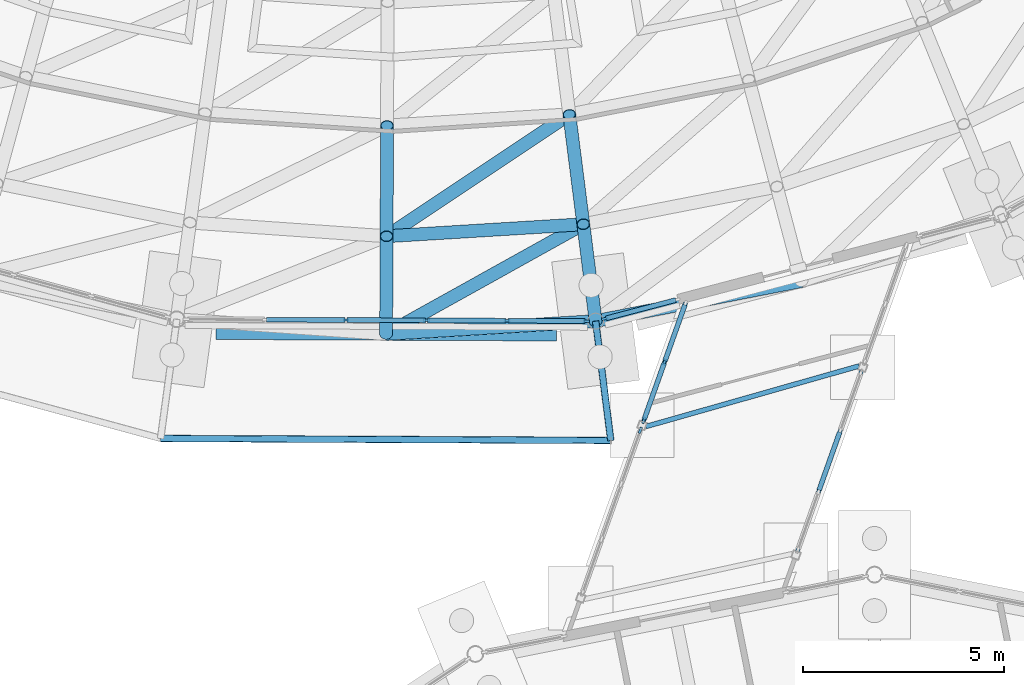
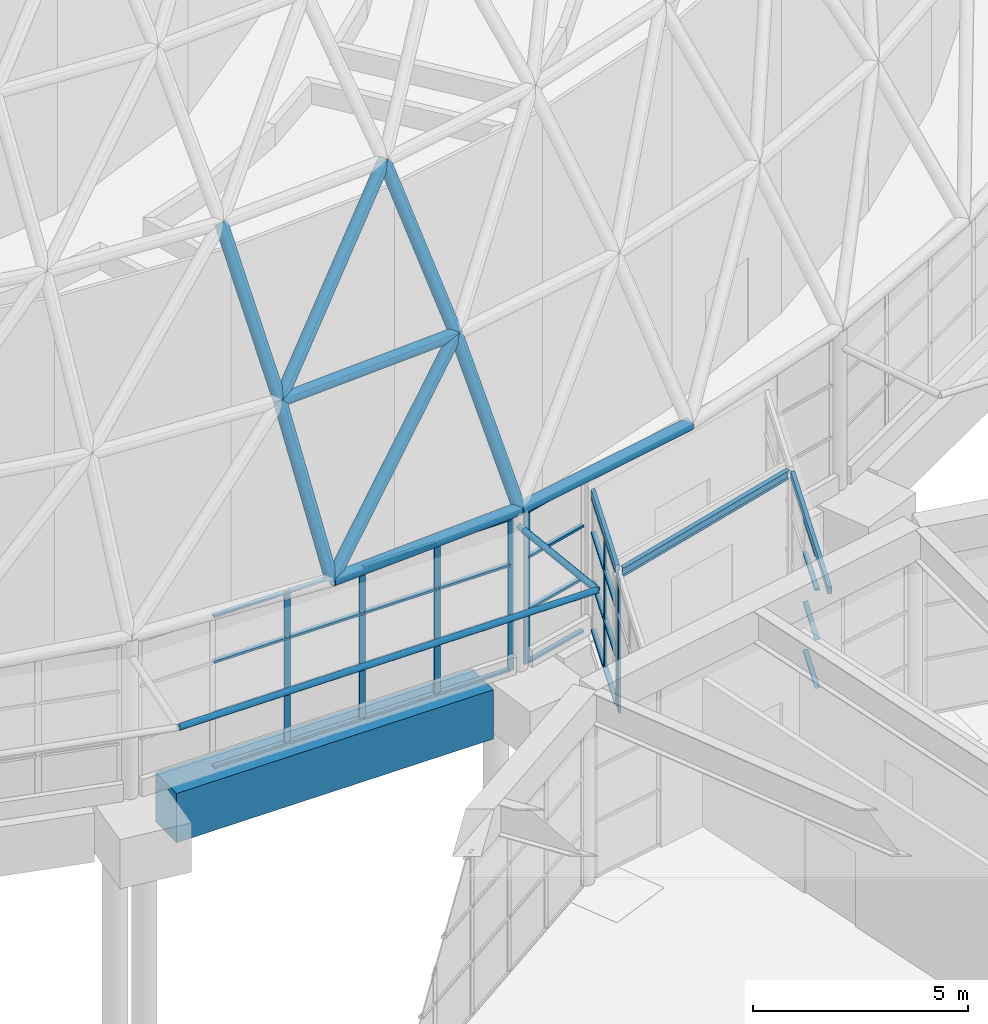
# One storey, part 96 of 226: 51 members, 4 beams, 5 elements without a shape of their own.
"""IFC4 building model written with IfcOpenShell, lengths in metres."""

from ifc_helpers import new_model, si_unit, direction, frame, origin, origin_2d, place, context, subcontext, project, spatial, rectangle, hollow_rectangle, hollow_circle, i_section, extrude, material, material_profile, profile_set, type_object, element, aggregate, save


model = new_model("IFC4")

# Units and contexts
model_context = context("Model", 3, precision=1e-05, world=origin(), true_north=direction((0.0, 1.0)))
body_context = subcontext(model_context, "Body", "Model", "MODEL_VIEW")
ifc_project = project(units=[si_unit("LENGTHUNIT", "METRE"), si_unit("AREAUNIT", "SQUARE_METRE"), si_unit("VOLUMEUNIT", "CUBIC_METRE"), si_unit("PLANEANGLEUNIT", "RADIAN"), si_unit("MASSUNIT", "GRAM", prefix="KILO")], contexts=[model_context])

# Site, building, storey
site_placement = place(None, origin())
site = spatial("IfcSite", under=ifc_project, at=site_placement, CompositionType="ELEMENT")
building_placement = place(site_placement, origin())
building = spatial("IfcBuilding", under=site, at=building_placement, Name="Ceibo Conservatory and Research Tower", CompositionType="ELEMENT")
storey_placement = place(building_placement, origin())
storey = spatial("IfcBuildingStorey", under=building, at=storey_placement, Name="L00", CompositionType="ELEMENT", Elevation=0.0)

# Members
ifc_material_1 = material(Name="Steel ASTM A500 Gr C", Category="steel")
ifc_material_profile_1 = material_profile(ifc_material_1, hollow_circle(Radius=0.084228515625, WallThickness=0.007080078125, at=origin_2d()), Name="CHS 168.3x7.11")
ifc_profile_set_1 = profile_set([ifc_material_profile_1], Name="Steel ASTM A500 Gr C")
member_type_1 = type_object("IfcMemberType", Name="CHS 168.3x7.11", PredefinedType="NOTDEFINED", material=ifc_profile_set_1)
member_1_placement = place(storey_placement, frame((161.0478515625, 68.31982421875, 4.0), z_axis=(0.126087484547, -0.990977715429, -0.045443522799), x_axis=(0.992002543853, 0.126217879041, 0.0)))
element("IfcMember", 1, at=member_1_placement, inside=storey, type_object=member_type_1, Name="Brim brace bracket A-BK19", PredefinedType="BRACE", context=body_context, shape_type="SweptSolid", body=[
    extrude(hollow_circle(Radius=0.084228515625, WallThickness=0.007080078125, at=origin_2d()), origin(), (0.0, 0.0, 1.0), 3.003173828125),
])
member_2_placement = place(storey_placement, frame((150.201416015625, 65.392822265625, 3.863525390625), z_axis=(0.999990444449, -0.004371614236, 0.0), x_axis=(0.004371614236, 0.999990444449, 0.0)))
element("IfcMember", 2, at=member_2_placement, inside=storey, type_object=member_type_1, Name="Brim tip ring A-TR21", PredefinedType="CHORD", context=body_context, shape_type="SweptSolid", body=[
    extrude(hollow_circle(Radius=0.084228515625, WallThickness=0.007080078125, at=origin_2d()), origin(), (0.0, 0.0, 1.0), 11.22509765625),
])
ifc_material_profile_2 = material_profile(ifc_material_1, hollow_circle(Radius=0.161865234375, WallThickness=0.01025390625, at=origin_2d()), Name="CHS 323.9x10.31")
ifc_profile_set_2 = profile_set([ifc_material_profile_2], Name="Steel ASTM A500 Gr C")
member_type_2 = type_object("IfcMemberType", Name="CHS 323.9x10.31", PredefinedType="NOTDEFINED", material=ifc_profile_set_2)
member_3_placement = place(storey_placement, frame((155.8359375, 70.43505859375, 8.115966796875), z_axis=(0.998134248027, 0.061057537745, 0.0), x_axis=(-0.061057537745, 0.998134248027, 0.0)))
element("IfcMember", 3, at=member_3_placement, inside=storey, type_object=member_type_2, Name="Gridshell member A-C02-36", PredefinedType="CHORD", context=body_context, shape_type="SweptSolid", body=[
    extrude(hollow_circle(Radius=0.161865234375, WallThickness=0.01025390625, at=origin_2d()), origin(), (0.0, 0.0, 1.0), 4.914306640625),
])
ifc_material_profile_3 = material_profile(ifc_material_1, hollow_circle(Radius=0.161865234375, WallThickness=0.01416015625, at=origin_2d()), Name="CHS 323.9x14.27")
ifc_profile_set_3 = profile_set([ifc_material_profile_3], Name="Steel ASTM A500 Gr C")
member_type_3 = type_object("IfcMemberType", Name="CHS 323.9x14.27", PredefinedType="NOTDEFINED", material=ifc_profile_set_3)
member_4_placement = place(storey_placement, frame((155.824951171875, 68.0, 4.5), z_axis=(0.002520115107, 0.558569512856, 0.829453885594), x_axis=(-0.999989822299, 0.00451168458, 0.0)))
element("IfcMember", 4, at=member_4_placement, inside=storey, type_object=member_type_3, Name="Gridshell member A-M36-01", PredefinedType="RAFTER", context=body_context, shape_type="SweptSolid", body=[
    extrude(hollow_circle(Radius=0.161865234375, WallThickness=0.01416015625, at=origin_2d()), origin(), (0.0, 0.0, 1.0), 4.359375),
])
member_5_placement = place(storey_placement, frame((161.048095703125, 68.320068359375, 4.5), z_axis=(-0.070456573675, 0.554019417167, 0.829516941737), x_axis=(-0.992010238608, -0.126157387805, 0.0)))
element("IfcMember", 5, at=member_5_placement, inside=storey, type_object=member_type_3, Name="Gridshell member A-M37-01", PredefinedType="RAFTER", context=body_context, shape_type="SweptSolid", body=[
    extrude(hollow_circle(Radius=0.161865234375, WallThickness=0.01416015625, at=origin_2d()), origin(), (0.0, 0.0, 1.0), 4.359130859375),
])
for number, where, z_axis, x_axis, name in (
    (6, (155.8359375, 70.43505859375, 8.115966796875), (0.002744819017, 0.633268958808, 0.773926929225), (-0.999990606771, 0.004334324611, 0.0), "Gridshell member A-M36-02"),
    (7, (160.740966796875, 70.735107421875, 8.115966796875), (-0.080049089505, 0.628180888534, 0.773938572854), (-0.991978360609, -0.126407800723, 0.0), "Gridshell member A-M37-02"),
):
    element("IfcMember", number, at=place(storey_placement, frame(where, z_axis=z_axis, x_axis=x_axis)), inside=storey, type_object=member_type_3, Name=name, PredefinedType="RAFTER", context=body_context, shape_type="SweptSolid", body=[
        extrude(hollow_circle(Radius=0.161865234375, WallThickness=0.01416015625, at=origin_2d()), origin(), (0.0, 0.0, 1.0), 4.3583984375),
    ])
ifc_material_2 = material(Name="Steel S355J2H", Category="steel")
ifc_material_profile_4 = material_profile(ifc_material_2, hollow_circle(Radius=0.161865234375, WallThickness=0.025390625, at=origin_2d()), Name="CHS 323.9x25.40")
ifc_profile_set_4 = profile_set([ifc_material_profile_4], Name="Steel S355J2H")
member_type_4 = type_object("IfcMemberType", Name="CHS 323.9x25.40", PredefinedType="NOTDEFINED", material=ifc_profile_set_4)
member_6_placement = place(storey_placement, frame((155.824951171875, 68.0, 4.5), z_axis=(0.998127721756, 0.06116413215, 0.0), x_axis=(-0.06116413215, 0.998127721756, 0.0)))
element("IfcMember", 8, at=member_6_placement, inside=storey, type_object=member_type_4, Name="Gridshell member A-C01-36", PredefinedType="CHORD", context=body_context, shape_type="SweptSolid", body=[
    extrude(hollow_circle(Radius=0.161865234375, WallThickness=0.025390625, at=origin_2d()), origin(), (0.0, 0.0, 1.0), 5.23291015625),
])
member_7_placement = place(storey_placement, frame((161.048095703125, 68.320068359375, 4.5), z_axis=(0.981637482692, 0.190756002721, 0.0), x_axis=(-0.190756002721, 0.981637482692, 0.0)))
element("IfcMember", 9, at=member_7_placement, inside=storey, type_object=member_type_4, Name="Gridshell member A-C01-37", PredefinedType="CHORD", context=body_context, shape_type="SweptSolid", body=[
    extrude(hollow_circle(Radius=0.161865234375, WallThickness=0.025390625, at=origin_2d()), origin(), (0.0, 0.0, 1.0), 5.232177734375),
])
ifc_material_profile_5 = material_profile(ifc_material_1, hollow_circle(Radius=0.161865234375, WallThickness=0.00830078125, at=origin_2d()), Name="CHS 323.9x8.38")
ifc_profile_set_5 = profile_set([ifc_material_profile_5], Name="Steel ASTM A500 Gr C")
member_type_5 = type_object("IfcMemberType", Name="CHS 323.9x8.38", PredefinedType="NOTDEFINED", material=ifc_profile_set_5)
member_8_placement = place(storey_placement, frame((155.824951171875, 68.0, 4.5), z_axis=(0.73510035822, 0.408985365174, 0.540701798053), x_axis=(-0.486184490439, 0.87385619026, 0.0)))
element("IfcMember", 10, at=member_8_placement, inside=storey, type_object=member_type_5, Name="Gridshell diagonal member A-D01-36", PredefinedType="BRACE", context=body_context, shape_type="SweptSolid", body=[
    extrude(hollow_circle(Radius=0.161865234375, WallThickness=0.00830078125, at=origin_2d()), origin(), (0.0, 0.0, 1.0), 6.6875),
])
member_9_placement = place(storey_placement, frame((155.8359375, 70.43505859375, 8.115966796875), z_axis=(0.70840986214, 0.472336508124, 0.524455613295), x_axis=(-0.554751637586, 0.8320159978, 0.0)))
element("IfcMember", 11, at=member_9_placement, inside=storey, type_object=member_type_5, Name="Gridshell diagonal member A-D02-36", PredefinedType="BRACE", context=body_context, shape_type="SweptSolid", body=[
    extrude(hollow_circle(Radius=0.161865234375, WallThickness=0.00830078125, at=origin_2d()), origin(), (0.0, 0.0, 1.0), 6.431640625),
])

# Curtain wall, members
ifc_material_3 = material(Name="Aluminium and glass", Category="aluminium")
curtain_wall_type_1 = type_object("IfcCurtainWallType", Name="Drum curtain wall", PredefinedType="NOTDEFINED", material=ifc_material_3)
curtain_wall_1_placement = place(storey_placement, origin())
curtain_wall_1 = element("IfcCurtainWall", 12, at=curtain_wall_1_placement, inside=storey, type_object=curtain_wall_type_1, Name="Drum curtain wall A-CW18", PredefinedType="NOTDEFINED")
ifc_material_4 = material(Name="Aluminium", Category="aluminium")
ifc_material_profile_6 = material_profile(ifc_material_4, rectangle(XDim=0.06005859375, YDim=0.159912109375, at=origin_2d()), Name="AL 60x160")
ifc_profile_set_6 = profile_set([ifc_material_profile_6], Name="Aluminium")
member_type_6 = type_object("IfcMemberType", Name="Drum mullion 60x160", PredefinedType="MULLION", material=ifc_profile_set_6)
member_10_placement = place(storey_placement, frame((154.823486328125, 68.346923828125, 0.0), z_axis=(0.0, 0.0, 1.0), x_axis=(0.004363300488, 0.999990480759, 0.0)))
member_10 = element("IfcMember", 13, at=member_10_placement, type_object=member_type_6, Name="A-CW18 mullion 3", PredefinedType="MULLION", context=body_context, shape_type="SweptSolid", body=[
    extrude(rectangle(XDim=0.06005859375, YDim=0.159912109375, at=origin_2d()), origin(), (0.0, 0.0, 1.0), 4.338134765625),
])
member_11_placement = place(storey_placement, frame((156.83056640625, 68.338134765625, 0.0), z_axis=(0.0, 0.0, 1.0), x_axis=(0.004363300488, 0.999990480759, 0.0)))
member_11 = element("IfcMember", 14, at=member_11_placement, type_object=member_type_6, Name="A-CW18 mullion 4", PredefinedType="MULLION", context=body_context, shape_type="SweptSolid", body=[
    extrude(rectangle(XDim=0.06005859375, YDim=0.159912109375, at=origin_2d()), origin(), (0.0, 0.0, 1.0), 4.338134765625),
])
member_12_placement = place(storey_placement, frame((158.837646484375, 68.329345703125, 0.0), z_axis=(0.0, 0.0, 1.0), x_axis=(0.004363300488, 0.999990480759, 0.0)))
member_12 = element("IfcMember", 15, at=member_12_placement, type_object=member_type_6, Name="A-CW18 mullion 5", PredefinedType="MULLION", context=body_context, shape_type="SweptSolid", body=[
    extrude(rectangle(XDim=0.06005859375, YDim=0.159912109375, at=origin_2d()), origin(), (0.0, 0.0, 1.0), 4.338134765625),
])
member_13_placement = place(storey_placement, frame((160.814697265625, 68.32080078125, 0.0), z_axis=(0.0, 0.0, 1.0), x_axis=(0.004363300488, 0.999990480759, 0.0)))
member_13 = element("IfcMember", 16, at=member_13_placement, type_object=member_type_6, Name="A-CW18 mullion 6", PredefinedType="MULLION", context=body_context, shape_type="SweptSolid", body=[
    extrude(rectangle(XDim=0.06005859375, YDim=0.159912109375, at=origin_2d()), origin(), (0.0, 0.0, 1.0), 4.338134765625),
])

# Curtain wall, member
curtain_wall_2_placement = place(storey_placement, origin())
curtain_wall_2 = element("IfcCurtainWall", 17, at=curtain_wall_2_placement, inside=storey, type_object=curtain_wall_type_1, Name="Drum curtain wall A-CW19W", PredefinedType="NOTDEFINED")
member_14_placement = place(storey_placement, frame((161.2734375, 68.379150390625, 0.0), z_axis=(0.0, 0.0, 1.0), x_axis=(-0.254601962062, 0.967045935266, 0.0)))
member_14 = element("IfcMember", 18, at=member_14_placement, type_object=member_type_6, Name="A-CW19W mullion 1", PredefinedType="MULLION", context=body_context, shape_type="SweptSolid", body=[
    extrude(rectangle(XDim=0.06005859375, YDim=0.159912109375, at=origin_2d()), origin(), (0.0, 0.0, 1.0), 4.338134765625),
])

# Member
ifc_material_profile_7 = material_profile(ifc_material_4, rectangle(XDim=0.1201171875, YDim=0.06005859375, at=origin_2d()), Name="AL 60x120")
ifc_profile_set_7 = profile_set([ifc_material_profile_7], Name="Aluminium")
member_type_7 = type_object("IfcMemberType", Name="Drum transom 60x120", PredefinedType="USERDEFINED", material=ifc_profile_set_7)
member_15_placement = place(storey_placement, frame((152.84619140625, 68.35546875, 0.030029296875), z_axis=(0.999990914441, -0.004262749635, 0.0), x_axis=(0.004262749635, 0.999990914441, 0.0)))
member_15 = element("IfcMember", 19, at=member_15_placement, type_object=member_type_7, Name="A-CW18 transom 2.1", ObjectType="TRANSOM", PredefinedType="USERDEFINED", context=body_context, shape_type="SweptSolid", body=[
    extrude(rectangle(XDim=0.1201171875, YDim=0.06005859375, at=origin_2d()), origin(), (0.0, 0.0, 1.0), 1.947265625),
])

member_16_placement = place(storey_placement, frame((152.84619140625, 68.35546875, 1.530029296875), z_axis=(0.999990914441, -0.004262749635, 0.0), x_axis=(0.004262749635, 0.999990914441, 0.0)))
member_16 = element("IfcMember", 20, at=member_16_placement, type_object=member_type_7, Name="A-CW18 transom 2.2", ObjectType="TRANSOM", PredefinedType="USERDEFINED", context=body_context, shape_type="SweptSolid", body=[
    extrude(rectangle(XDim=0.1201171875, YDim=0.06005859375, at=origin_2d()), origin(), (0.0, 0.0, 1.0), 1.947265625),
])

member_17_placement = place(storey_placement, frame((152.84619140625, 68.35546875, 3.014892578125), z_axis=(0.999990914441, -0.004262749635, 0.0), x_axis=(0.004262749635, 0.999990914441, 0.0)))
member_17 = element("IfcMember", 21, at=member_17_placement, type_object=member_type_7, Name="A-CW18 transom 2.3", ObjectType="TRANSOM", PredefinedType="USERDEFINED", context=body_context, shape_type="SweptSolid", body=[
    extrude(rectangle(XDim=0.1201171875, YDim=0.06005859375, at=origin_2d()), origin(), (0.0, 0.0, 1.0), 1.947265625),
])

member_18_placement = place(storey_placement, frame((152.84619140625, 68.35546875, 4.30810546875), z_axis=(0.999990914441, -0.004262749635, 0.0), x_axis=(0.004262749635, 0.999990914441, 0.0)))
member_18 = element("IfcMember", 22, at=member_18_placement, type_object=member_type_7, Name="A-CW18 transom 2.4", ObjectType="TRANSOM", PredefinedType="USERDEFINED", context=body_context, shape_type="SweptSolid", body=[
    extrude(rectangle(XDim=0.1201171875, YDim=0.06005859375, at=origin_2d()), origin(), (0.0, 0.0, 1.0), 1.947265625),
])

member_19_placement = place(storey_placement, frame((154.853515625, 68.346923828125, 0.030029296875), z_axis=(0.999990369731, -0.004388672469, 0.0), x_axis=(0.004388672469, 0.999990369731, 0.0)))
member_19 = element("IfcMember", 23, at=member_19_placement, type_object=member_type_7, Name="A-CW18 transom 3.1", ObjectType="TRANSOM", PredefinedType="USERDEFINED", context=body_context, shape_type="SweptSolid", body=[
    extrude(rectangle(XDim=0.1201171875, YDim=0.06005859375, at=origin_2d()), origin(), (0.0, 0.0, 1.0), 1.947021484375),
])

member_20_placement = place(storey_placement, frame((154.853515625, 68.346923828125, 1.530029296875), z_axis=(0.999990369731, -0.004388672469, 0.0), x_axis=(0.004388672469, 0.999990369731, 0.0)))
member_20 = element("IfcMember", 24, at=member_20_placement, type_object=member_type_7, Name="A-CW18 transom 3.2", ObjectType="TRANSOM", PredefinedType="USERDEFINED", context=body_context, shape_type="SweptSolid", body=[
    extrude(rectangle(XDim=0.1201171875, YDim=0.06005859375, at=origin_2d()), origin(), (0.0, 0.0, 1.0), 1.947021484375),
])

member_21_placement = place(storey_placement, frame((154.853515625, 68.346923828125, 3.014892578125), z_axis=(0.999990369731, -0.004388672469, 0.0), x_axis=(0.004388672469, 0.999990369731, 0.0)))
member_21 = element("IfcMember", 25, at=member_21_placement, type_object=member_type_7, Name="A-CW18 transom 3.3", ObjectType="TRANSOM", PredefinedType="USERDEFINED", context=body_context, shape_type="SweptSolid", body=[
    extrude(rectangle(XDim=0.1201171875, YDim=0.06005859375, at=origin_2d()), origin(), (0.0, 0.0, 1.0), 1.947021484375),
])

member_22_placement = place(storey_placement, frame((154.853515625, 68.346923828125, 4.30810546875), z_axis=(0.999990369731, -0.004388672469, 0.0), x_axis=(0.004388672469, 0.999990369731, 0.0)))
member_22 = element("IfcMember", 26, at=member_22_placement, type_object=member_type_7, Name="A-CW18 transom 3.4", ObjectType="TRANSOM", PredefinedType="USERDEFINED", context=body_context, shape_type="SweptSolid", body=[
    extrude(rectangle(XDim=0.1201171875, YDim=0.06005859375, at=origin_2d()), origin(), (0.0, 0.0, 1.0), 1.947021484375),
])

member_23_placement = place(storey_placement, frame((156.860595703125, 68.338134765625, 0.030029296875), z_axis=(0.999990369731, -0.004388672469, 0.0), x_axis=(0.004388672469, 0.999990369731, 0.0)))
member_23 = element("IfcMember", 27, at=member_23_placement, type_object=member_type_7, Name="A-CW18 transom 4.1", ObjectType="TRANSOM", PredefinedType="USERDEFINED", context=body_context, shape_type="SweptSolid", body=[
    extrude(rectangle(XDim=0.1201171875, YDim=0.06005859375, at=origin_2d()), origin(), (0.0, 0.0, 1.0), 1.947021484375),
])

member_24_placement = place(storey_placement, frame((156.860595703125, 68.338134765625, 1.530029296875), z_axis=(0.999990369731, -0.004388672469, 0.0), x_axis=(0.004388672469, 0.999990369731, 0.0)))
member_24 = element("IfcMember", 28, at=member_24_placement, type_object=member_type_7, Name="A-CW18 transom 4.2", ObjectType="TRANSOM", PredefinedType="USERDEFINED", context=body_context, shape_type="SweptSolid", body=[
    extrude(rectangle(XDim=0.1201171875, YDim=0.06005859375, at=origin_2d()), origin(), (0.0, 0.0, 1.0), 1.947021484375),
])

member_25_placement = place(storey_placement, frame((156.860595703125, 68.338134765625, 3.014892578125), z_axis=(0.999990369731, -0.004388672469, 0.0), x_axis=(0.004388672469, 0.999990369731, 0.0)))
member_25 = element("IfcMember", 29, at=member_25_placement, type_object=member_type_7, Name="A-CW18 transom 4.3", ObjectType="TRANSOM", PredefinedType="USERDEFINED", context=body_context, shape_type="SweptSolid", body=[
    extrude(rectangle(XDim=0.1201171875, YDim=0.06005859375, at=origin_2d()), origin(), (0.0, 0.0, 1.0), 1.947021484375),
])

member_26_placement = place(storey_placement, frame((156.860595703125, 68.338134765625, 4.30810546875), z_axis=(0.999990369731, -0.004388672469, 0.0), x_axis=(0.004388672469, 0.999990369731, 0.0)))
member_26 = element("IfcMember", 30, at=member_26_placement, type_object=member_type_7, Name="A-CW18 transom 4.4", ObjectType="TRANSOM", PredefinedType="USERDEFINED", context=body_context, shape_type="SweptSolid", body=[
    extrude(rectangle(XDim=0.1201171875, YDim=0.06005859375, at=origin_2d()), origin(), (0.0, 0.0, 1.0), 1.947021484375),
])

member_27_placement = place(storey_placement, frame((158.86767578125, 68.329345703125, 0.030029296875), z_axis=(0.999990625219, -0.004330066385, 0.0), x_axis=(0.004330066385, 0.999990625219, 0.0)))
member_27 = element("IfcMember", 31, at=member_27_placement, type_object=member_type_7, Name="A-CW18 transom 5.1", ObjectType="TRANSOM", PredefinedType="USERDEFINED", context=body_context, shape_type="SweptSolid", body=[
    extrude(rectangle(XDim=0.1201171875, YDim=0.06005859375, at=origin_2d()), origin(), (0.0, 0.0, 1.0), 1.9169921875),
])

member_28_placement = place(storey_placement, frame((158.86767578125, 68.329345703125, 1.530029296875), z_axis=(0.999990625219, -0.004330066385, 0.0), x_axis=(0.004330066385, 0.999990625219, 0.0)))
member_28 = element("IfcMember", 32, at=member_28_placement, type_object=member_type_7, Name="A-CW18 transom 5.2", ObjectType="TRANSOM", PredefinedType="USERDEFINED", context=body_context, shape_type="SweptSolid", body=[
    extrude(rectangle(XDim=0.1201171875, YDim=0.06005859375, at=origin_2d()), origin(), (0.0, 0.0, 1.0), 1.9169921875),
])

member_29_placement = place(storey_placement, frame((158.86767578125, 68.329345703125, 3.014892578125), z_axis=(0.999990625219, -0.004330066385, 0.0), x_axis=(0.004330066385, 0.999990625219, 0.0)))
member_29 = element("IfcMember", 33, at=member_29_placement, type_object=member_type_7, Name="A-CW18 transom 5.3", ObjectType="TRANSOM", PredefinedType="USERDEFINED", context=body_context, shape_type="SweptSolid", body=[
    extrude(rectangle(XDim=0.1201171875, YDim=0.06005859375, at=origin_2d()), origin(), (0.0, 0.0, 1.0), 1.9169921875),
])

member_30_placement = place(storey_placement, frame((158.86767578125, 68.329345703125, 4.30810546875), z_axis=(0.999990625219, -0.004330066385, 0.0), x_axis=(0.004330066385, 0.999990625219, 0.0)))
member_30 = element("IfcMember", 34, at=member_30_placement, type_object=member_type_7, Name="A-CW18 transom 5.4", ObjectType="TRANSOM", PredefinedType="USERDEFINED", context=body_context, shape_type="SweptSolid", body=[
    extrude(rectangle(XDim=0.1201171875, YDim=0.06005859375, at=origin_2d()), origin(), (0.0, 0.0, 1.0), 1.9169921875),
])

aggregate(curtain_wall_1, [member_10, member_11, member_12, member_13, member_15, member_16, member_17, member_18, member_19, member_20, member_21, member_22, member_23, member_24, member_25, member_26, member_27, member_28, member_29, member_30])

member_31_placement = place(storey_placement, frame((161.302490234375, 68.38671875, 0.030029296875), z_axis=(0.967030657146, 0.254659985353, 0.0), x_axis=(-0.254659985353, 0.967030657146, 0.0)))
member_31 = element("IfcMember", 35, at=member_31_placement, type_object=member_type_7, Name="A-CW19W transom 1.1", ObjectType="TRANSOM", PredefinedType="USERDEFINED", context=body_context, shape_type="SweptSolid", body=[
    extrude(rectangle(XDim=0.1201171875, YDim=0.06005859375, at=origin_2d()), origin(), (0.0, 0.0, 1.0), 1.80224609375),
])

member_32_placement = place(storey_placement, frame((161.302490234375, 68.38671875, 1.530029296875), z_axis=(0.967030657146, 0.254659985353, 0.0), x_axis=(-0.254659985353, 0.967030657146, 0.0)))
member_32 = element("IfcMember", 36, at=member_32_placement, type_object=member_type_7, Name="A-CW19W transom 1.2", ObjectType="TRANSOM", PredefinedType="USERDEFINED", context=body_context, shape_type="SweptSolid", body=[
    extrude(rectangle(XDim=0.1201171875, YDim=0.06005859375, at=origin_2d()), origin(), (0.0, 0.0, 1.0), 1.80224609375),
])

member_33_placement = place(storey_placement, frame((161.302490234375, 68.38671875, 3.014892578125), z_axis=(0.967030657146, 0.254659985353, 0.0), x_axis=(-0.254659985353, 0.967030657146, 0.0)))
member_33 = element("IfcMember", 37, at=member_33_placement, type_object=member_type_7, Name="A-CW19W transom 1.3", ObjectType="TRANSOM", PredefinedType="USERDEFINED", context=body_context, shape_type="SweptSolid", body=[
    extrude(rectangle(XDim=0.1201171875, YDim=0.06005859375, at=origin_2d()), origin(), (0.0, 0.0, 1.0), 1.80224609375),
])

member_34_placement = place(storey_placement, frame((161.302490234375, 68.38671875, 4.30810546875), z_axis=(0.967030657146, 0.254659985353, 0.0), x_axis=(-0.254659985353, 0.967030657146, 0.0)))
member_34 = element("IfcMember", 38, at=member_34_placement, type_object=member_type_7, Name="A-CW19W transom 1.4", ObjectType="TRANSOM", PredefinedType="USERDEFINED", context=body_context, shape_type="SweptSolid", body=[
    extrude(rectangle(XDim=0.1201171875, YDim=0.06005859375, at=origin_2d()), origin(), (0.0, 0.0, 1.0), 1.80224609375),
])

aggregate(curtain_wall_2, [member_14, member_31, member_32, member_33, member_34])

# Curtain wall, members
curtain_wall_type_2 = type_object("IfcCurtainWallType", Name="Gallery curtain wall", PredefinedType="NOTDEFINED", material=ifc_material_3)
curtain_wall_3_placement = place(storey_placement, origin())
curtain_wall_3 = element("IfcCurtainWall", 39, at=curtain_wall_3_placement, inside=storey, type_object=curtain_wall_type_2, Name="Gallery curtain wall A-VC-CWS01", PredefinedType="NOTDEFINED")
ifc_material_profile_8 = material_profile(ifc_material_4, rectangle(XDim=0.06005859375, YDim=0.159912109375, at=origin_2d()), Name="AL 60x160")
ifc_profile_set_8 = profile_set([ifc_material_profile_8], Name="Aluminium")
member_type_8 = type_object("IfcMemberType", Name="Gallery mullion 60x160", PredefinedType="MULLION", material=ifc_profile_set_8)
member_35_placement = place(storey_placement, frame((162.76708984375, 67.298583984375, 0.0), z_axis=(0.0, 0.0, 1.0), x_axis=(0.942203896378, -0.335040023954, 0.0)))
member_35 = element("IfcMember", 40, at=member_35_placement, type_object=member_type_8, Name="A-VC-CWS01 mullion 2", PredefinedType="MULLION", context=body_context, shape_type="SweptSolid", body=[
    extrude(rectangle(XDim=0.06005859375, YDim=0.159912109375, at=origin_2d()), origin(), (0.0, 0.0, 1.0), 3.800048828125),
])
member_36_placement = place(storey_placement, frame((162.24951171875, 65.843505859375, 0.0), z_axis=(0.0, 0.0, 1.0), x_axis=(0.942203896378, -0.335040023954, 0.0)))
member_36 = element("IfcMember", 41, at=member_36_placement, type_object=member_type_8, Name="A-VC-CWS01 mullion 3", PredefinedType="MULLION", context=body_context, shape_type="SweptSolid", body=[
    extrude(rectangle(XDim=0.06005859375, YDim=0.159912109375, at=origin_2d()), origin(), (0.0, 0.0, 1.0), 3.800048828125),
])

# Curtain wall, member
curtain_wall_4_placement = place(storey_placement, origin())
curtain_wall_4 = element("IfcCurtainWall", 42, at=curtain_wall_4_placement, inside=storey, type_object=curtain_wall_type_2, Name="Gallery curtain wall A-VC-CWS02", PredefinedType="NOTDEFINED")
member_37_placement = place(storey_placement, frame((162.16259765625, 65.5986328125, 0.0), z_axis=(0.0, 0.0, 1.0), x_axis=(0.942203896378, -0.335040023954, 0.0)))
member_37 = element("IfcMember", 43, at=member_37_placement, type_object=member_type_8, Name="A-VC-CWS02 mullion 1", PredefinedType="MULLION", context=body_context, shape_type="SweptSolid", body=[
    extrude(rectangle(XDim=0.06005859375, YDim=0.159912109375, at=origin_2d()), origin(), (0.0, 0.0, 1.0), 3.800048828125),
])
aggregate(curtain_wall_4, [member_37])

# Curtain wall, members
curtain_wall_5_placement = place(storey_placement, origin())
curtain_wall_5 = element("IfcCurtainWall", 44, at=curtain_wall_5_placement, inside=storey, type_object=curtain_wall_type_2, Name="Gallery curtain wall A-VC-CWN02", PredefinedType="NOTDEFINED")
ifc_material_profile_9 = material_profile(ifc_material_4, rectangle(XDim=0.1201171875, YDim=0.06005859375, at=origin_2d()), Name="AL 60x120")
ifc_profile_set_9 = profile_set([ifc_material_profile_9], Name="Aluminium")
member_type_9 = type_object("IfcMemberType", Name="Gallery transom 60x120", PredefinedType="USERDEFINED", material=ifc_profile_set_9)
member_38_placement = place(storey_placement, frame((167.13330078125, 65.54931640625, 0.030029296875), z_axis=(-0.335022256925, -0.942210213999, 0.0), x_axis=(0.942210213999, -0.335022256925, 0.0)))
member_38 = element("IfcMember", 45, at=member_38_placement, type_object=member_type_9, Name="A-VC-CWN02 transom 2.1", ObjectType="TRANSOM", PredefinedType="USERDEFINED", context=body_context, shape_type="SweptSolid", body=[
    extrude(rectangle(XDim=0.1201171875, YDim=0.06005859375, at=origin_2d()), origin(), (0.0, 0.0, 1.0), 1.5302734375),
])
member_39_placement = place(storey_placement, frame((167.13330078125, 65.54931640625, 1.39990234375), z_axis=(-0.335022256925, -0.942210213999, 0.0), x_axis=(0.942210213999, -0.335022256925, 0.0)))
member_39 = element("IfcMember", 46, at=member_39_placement, type_object=member_type_9, Name="A-VC-CWN02 transom 2.2", ObjectType="TRANSOM", PredefinedType="USERDEFINED", context=body_context, shape_type="SweptSolid", body=[
    extrude(rectangle(XDim=0.1201171875, YDim=0.06005859375, at=origin_2d()), origin(), (0.0, 0.0, 1.0), 1.5302734375),
])
member_40_placement = place(storey_placement, frame((167.13330078125, 65.54931640625, 2.800048828125), z_axis=(-0.335022256925, -0.942210213999, 0.0), x_axis=(0.942210213999, -0.335022256925, 0.0)))
member_40 = element("IfcMember", 47, at=member_40_placement, type_object=member_type_9, Name="A-VC-CWN02 transom 2.3", ObjectType="TRANSOM", PredefinedType="USERDEFINED", context=body_context, shape_type="SweptSolid", body=[
    extrude(rectangle(XDim=0.1201171875, YDim=0.06005859375, at=origin_2d()), origin(), (0.0, 0.0, 1.0), 1.5302734375),
])
member_41_placement = place(storey_placement, frame((167.13330078125, 65.54931640625, 3.77001953125), z_axis=(-0.335022256925, -0.942210213999, 0.0), x_axis=(0.942210213999, -0.335022256925, 0.0)))
member_41 = element("IfcMember", 48, at=member_41_placement, type_object=member_type_9, Name="A-VC-CWN02 transom 2.4", ObjectType="TRANSOM", PredefinedType="USERDEFINED", context=body_context, shape_type="SweptSolid", body=[
    extrude(rectangle(XDim=0.1201171875, YDim=0.06005859375, at=origin_2d()), origin(), (0.0, 0.0, 1.0), 1.5302734375),
])
aggregate(curtain_wall_5, [member_38, member_39, member_40, member_41])

# Member
member_42_placement = place(storey_placement, frame((163.2744140625, 68.7255859375, 0.030029296875), z_axis=(-0.335012912227, -0.942213536647, 0.0), x_axis=(0.942213536647, -0.335012912227, 0.0)))
member_42 = element("IfcMember", 49, at=member_42_placement, type_object=member_type_9, Name="A-VC-CWS01 transom 1.1", ObjectType="TRANSOM", PredefinedType="USERDEFINED", context=body_context, shape_type="SweptSolid", body=[
    extrude(rectangle(XDim=0.1201171875, YDim=0.06005859375, at=origin_2d()), origin(), (0.0, 0.0, 1.0), 1.484375),
])

member_43_placement = place(storey_placement, frame((163.2744140625, 68.7255859375, 1.39990234375), z_axis=(-0.335012912227, -0.942213536647, 0.0), x_axis=(0.942213536647, -0.335012912227, 0.0)))
member_43 = element("IfcMember", 50, at=member_43_placement, type_object=member_type_9, Name="A-VC-CWS01 transom 1.2", ObjectType="TRANSOM", PredefinedType="USERDEFINED", context=body_context, shape_type="SweptSolid", body=[
    extrude(rectangle(XDim=0.1201171875, YDim=0.06005859375, at=origin_2d()), origin(), (0.0, 0.0, 1.0), 1.484375),
])

member_44_placement = place(storey_placement, frame((163.2744140625, 68.7255859375, 2.800048828125), z_axis=(-0.335012912227, -0.942213536647, 0.0), x_axis=(0.942213536647, -0.335012912227, 0.0)))
member_44 = element("IfcMember", 51, at=member_44_placement, type_object=member_type_9, Name="A-VC-CWS01 transom 1.3", ObjectType="TRANSOM", PredefinedType="USERDEFINED", context=body_context, shape_type="SweptSolid", body=[
    extrude(rectangle(XDim=0.1201171875, YDim=0.06005859375, at=origin_2d()), origin(), (0.0, 0.0, 1.0), 1.484375),
])

member_45_placement = place(storey_placement, frame((163.2744140625, 68.7255859375, 3.77001953125), z_axis=(-0.335012912227, -0.942213536647, 0.0), x_axis=(0.942213536647, -0.335012912227, 0.0)))
member_45 = element("IfcMember", 52, at=member_45_placement, type_object=member_type_9, Name="A-VC-CWS01 transom 1.4", ObjectType="TRANSOM", PredefinedType="USERDEFINED", context=body_context, shape_type="SweptSolid", body=[
    extrude(rectangle(XDim=0.1201171875, YDim=0.06005859375, at=origin_2d()), origin(), (0.0, 0.0, 1.0), 1.484375),
])

member_46_placement = place(storey_placement, frame((162.7568359375, 67.2705078125, 0.030029296875), z_axis=(-0.334866894668, -0.942265441824, 0.0), x_axis=(0.942265441824, -0.334866894668, 0.0)))
member_46 = element("IfcMember", 53, at=member_46_placement, type_object=member_type_9, Name="A-VC-CWS01 transom 2.1", ObjectType="TRANSOM", PredefinedType="USERDEFINED", context=body_context, shape_type="SweptSolid", body=[
    extrude(rectangle(XDim=0.1201171875, YDim=0.06005859375, at=origin_2d()), origin(), (0.0, 0.0, 1.0), 1.484375),
])

member_47_placement = place(storey_placement, frame((162.7568359375, 67.2705078125, 1.39990234375), z_axis=(-0.334866894668, -0.942265441824, 0.0), x_axis=(0.942265441824, -0.334866894668, 0.0)))
member_47 = element("IfcMember", 54, at=member_47_placement, type_object=member_type_9, Name="A-VC-CWS01 transom 2.2", ObjectType="TRANSOM", PredefinedType="USERDEFINED", context=body_context, shape_type="SweptSolid", body=[
    extrude(rectangle(XDim=0.1201171875, YDim=0.06005859375, at=origin_2d()), origin(), (0.0, 0.0, 1.0), 1.484375),
])

member_48_placement = place(storey_placement, frame((162.7568359375, 67.2705078125, 2.800048828125), z_axis=(-0.334866894668, -0.942265441824, 0.0), x_axis=(0.942265441824, -0.334866894668, 0.0)))
member_48 = element("IfcMember", 55, at=member_48_placement, type_object=member_type_9, Name="A-VC-CWS01 transom 2.3", ObjectType="TRANSOM", PredefinedType="USERDEFINED", context=body_context, shape_type="SweptSolid", body=[
    extrude(rectangle(XDim=0.1201171875, YDim=0.06005859375, at=origin_2d()), origin(), (0.0, 0.0, 1.0), 1.484375),
])

member_49_placement = place(storey_placement, frame((162.7568359375, 67.2705078125, 3.77001953125), z_axis=(-0.334866894668, -0.942265441824, 0.0), x_axis=(0.942265441824, -0.334866894668, 0.0)))
member_49 = element("IfcMember", 56, at=member_49_placement, type_object=member_type_9, Name="A-VC-CWS01 transom 2.4", ObjectType="TRANSOM", PredefinedType="USERDEFINED", context=body_context, shape_type="SweptSolid", body=[
    extrude(rectangle(XDim=0.1201171875, YDim=0.06005859375, at=origin_2d()), origin(), (0.0, 0.0, 1.0), 1.484375),
])

aggregate(curtain_wall_3, [member_35, member_36, member_42, member_43, member_44, member_45, member_46, member_47, member_48, member_49])

# Beams
ifc_material_5 = material(Name="Steel S355J2", Category="steel")
ifc_material_profile_10 = material_profile(ifc_material_5, i_section(OverallWidth=0.1201171875, OverallDepth=0.239990234375, WebThickness=0.006103515625, FlangeThickness=0.009765625, at=origin_2d()), Name="IPE 240")
ifc_profile_set_10 = profile_set([ifc_material_profile_10], Name="Steel S355J2")
beam_type_1 = type_object("IfcBeamType", Name="IPE 240 roof beam", PredefinedType="BEAM", material=ifc_profile_set_10)
beam_1_placement = place(storey_placement, frame((167.6201171875, 67.201904296875, 3.8798828125), z_axis=(-0.961932327002, -0.273287757261, 0.0), x_axis=(0.273287757261, -0.961932327002, 0.0)))
element("IfcBeam", 57, at=beam_1_placement, inside=storey, type_object=beam_type_1, Name="Gallery roof beam A-VC-RB01", PredefinedType="BEAM", context=body_context, shape_type="SweptSolid", body=[
    extrude(i_section(OverallWidth=0.1201171875, OverallDepth=0.239990234375, WebThickness=0.006103515625, FlangeThickness=0.009765625, at=origin_2d()), origin(), (0.0, 0.0, 1.0), 5.53515625),
])
ifc_material_6 = material(Name="Concrete C35/45", Category="concrete")
ifc_material_profile_11 = material_profile(ifc_material_6, rectangle(XDim=1.0, YDim=1.39990234375, at=origin_2d()), Name="RC 1000x1400")
ifc_profile_set_11 = profile_set([ifc_material_profile_11], Name="Concrete C35/45")
beam_type_2 = type_object("IfcBeamType", Name="RC ring beam 1000x1400", PredefinedType="BEAM", material=ifc_profile_set_11)
beam_2_placement = place(storey_placement, frame((151.58056640625, 68.361083984375, -0.699951171875), z_axis=(0.999990454097, -0.004369406647, 0.0), x_axis=(0.004369406647, 0.999990454097, 0.0)))
element("IfcBeam", 58, at=beam_2_placement, inside=storey, type_object=beam_type_2, Name="Drum ring beam A-RB18", PredefinedType="BEAM", context=body_context, shape_type="SweptSolid", body=[
    extrude(rectangle(XDim=1.0, YDim=1.39990234375, at=origin_2d()), origin(), (0.0, 0.0, 1.0), 8.492919921875),
])
ifc_material_profile_12 = material_profile(ifc_material_2, hollow_rectangle(XDim=0.10009765625, YDim=0.199951171875, WallThickness=0.008056640625, at=origin_2d()), Name="RHS 200x100x8 edge beam")
ifc_profile_set_12 = profile_set([ifc_material_profile_12], Name="Steel S355J2H")
beam_type_3 = type_object("IfcBeamType", Name="RHS 200x100x8 edge beam", PredefinedType="BEAM", material=ifc_profile_set_12)
beam_3_placement = place(storey_placement, frame((167.677734375, 67.08056640625, 3.89990234375), z_axis=(-0.335038882797, -0.942204302163, 0.0), x_axis=(0.942204302163, -0.335038882797, 0.0)))
element("IfcBeam", 59, at=beam_3_placement, inside=storey, type_object=beam_type_3, Name="Gallery edge beam A-VC-EBN02", PredefinedType="BEAM", context=body_context, shape_type="SweptSolid", body=[
    extrude(hollow_rectangle(XDim=0.10009765625, YDim=0.199951171875, WallThickness=0.008056640625, at=origin_2d()), origin(), (0.0, 0.0, 1.0), 4.781005859375),
])
beam_4_placement = place(storey_placement, frame((163.296142578125, 68.78662109375, 3.89990234375), z_axis=(-0.335063036563, -0.942195712965, 0.0), x_axis=(0.942195712965, -0.335063036563, 0.0)))
element("IfcBeam", 60, at=beam_4_placement, inside=storey, type_object=beam_type_3, Name="Gallery edge beam A-VC-EBS01", PredefinedType="BEAM", context=body_context, shape_type="SweptSolid", body=[
    extrude(hollow_rectangle(XDim=0.10009765625, YDim=0.199951171875, WallThickness=0.008056640625, at=origin_2d()), origin(), (0.0, 0.0, 1.0), 3.15869140625),
])

save(model, "model.ifc")
